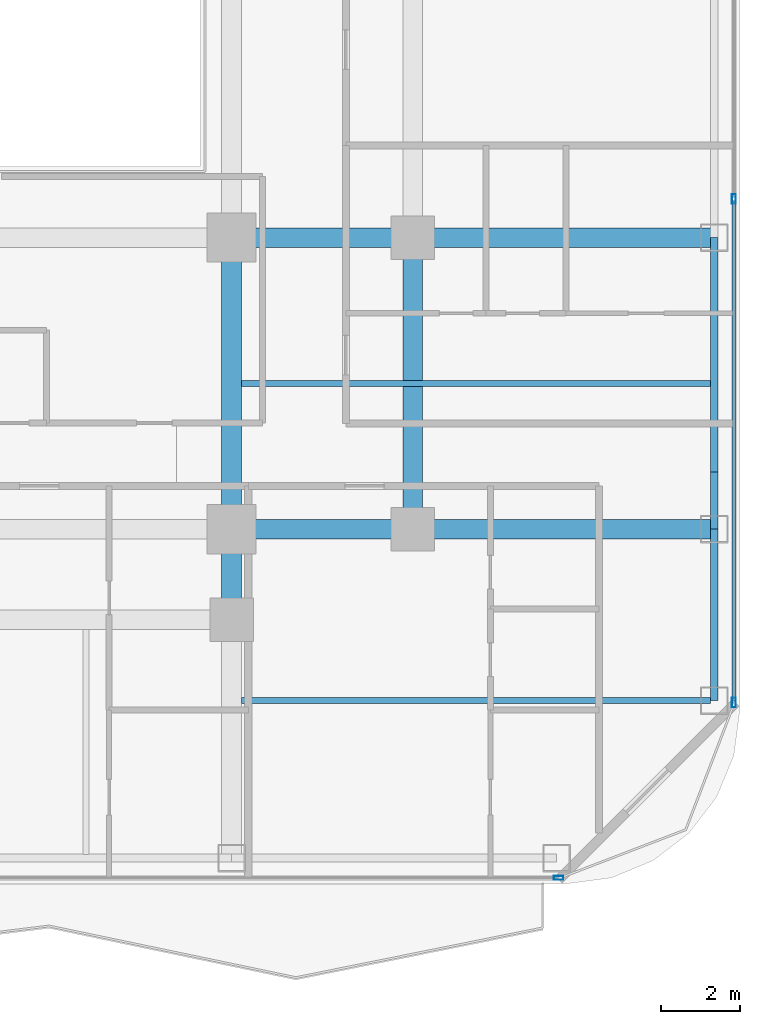
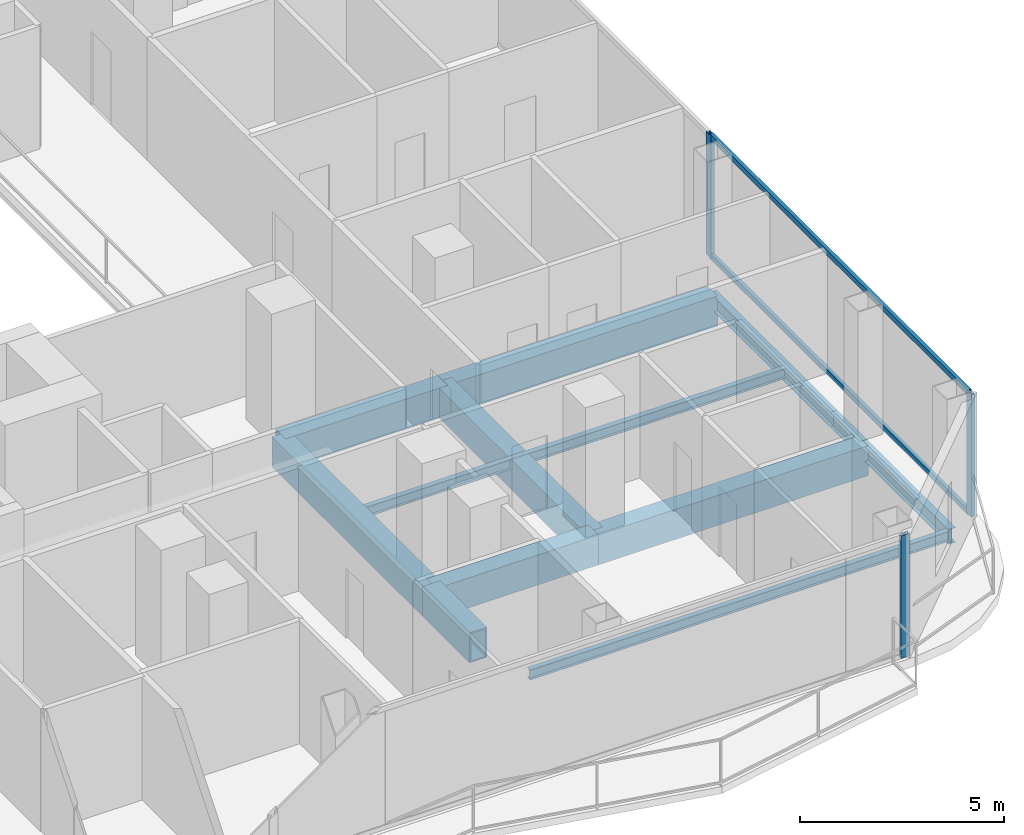
# One storey, part 10 of 29: 12 beams, 5 members, 2 elements without a shape of their own.
"""IFC4 building model written with IfcOpenShell, lengths in metres."""

import ifcopenshell
import ifcopenshell.guid

model = None  # the IFC model being written
_history = None  # IfcOwnerHistory: only IFC2X3 demands one
_inside = {}  # id of a spatial element -> (the spatial element, [elements in it])
_under = {}  # id of a project, library or spatial element -> (it, [spatial elements below it])
_declared = {}  # id of a project -> (the project, [libraries it declares])
_typed = {}  # id of a type object -> (the type object, [elements of that type])
_made_of = {}  # id of a material, layer set ... -> (it, [elements and type objects made of it])


def new_model(schema):
    """Start an empty IFC model of exactly this schema.

    Asked for "IFC4X3", IfcOpenShell would pick the latest addendum, in which some entities
    have other attributes; the version numbers below select the first issue.
    IFC2X3 requires an IfcOwnerHistory on every rooted entity: one is made here for all.
    """
    global model, _history
    if schema == "IFC4X3":
        model = ifcopenshell.file(schema_version=(4, 3, 0, 0))
    else:
        model = ifcopenshell.file(schema=schema)
    _inside.clear()
    _under.clear()
    _declared.clear()
    _typed.clear()
    _made_of.clear()
    _history = None
    if model.schema == "IFC2X3":
        org = make("IfcOrganization", Name="unknown")
        user = make(
            "IfcPersonAndOrganization",
            ThePerson=make("IfcPerson", FamilyName="unknown"),
            TheOrganization=org,
        )
        app = make(
            "IfcApplication",
            ApplicationDeveloper=org,
            Version="unknown",
            ApplicationFullName="unknown",
            ApplicationIdentifier="unknown",
        )
        _history = make(
            "IfcOwnerHistory",
            OwningUser=user,
            OwningApplication=app,
            ChangeAction="ADDED",
            CreationDate=0,
        )
    return model


def make(cls, **values):
    """One entity of the class cls with the attributes given. An attribute that is None is left unset."""
    return model.create_entity(
        cls, **{name: value for name, value in values.items() if value is not None}
    )


def rooted(cls, **values):
    """An entity with a GlobalId (a new one), such as an element, a storey or a relation."""
    return make(cls, GlobalId=ifcopenshell.guid.new(), OwnerHistory=_history, **values)


def si_unit(unit_type, name, prefix=None):
    """IfcSIUnit, for example si_unit("LENGTHUNIT", "METRE", prefix="MILLI")."""
    return make("IfcSIUnit", UnitType=unit_type, Prefix=prefix, Name=name)


def assignment(units):
    """IfcUnitAssignment: the units of a project."""
    return None if units is None else make("IfcUnitAssignment", Units=units)


def point(xyz):
    """IfcCartesianPoint."""
    return None if xyz is None else make("IfcCartesianPoint", Coordinates=xyz)


def direction(xyz):
    """IfcDirection."""
    return None if xyz is None else make("IfcDirection", DirectionRatios=xyz)


def frame(location, z_axis=None, x_axis=None):
    """IfcAxis2Placement3D, a coordinate frame: its origin and axes. An axis left out is left unset."""
    return make(
        "IfcAxis2Placement3D",
        Location=point(location),
        Axis=direction(z_axis),
        RefDirection=direction(x_axis),
    )


def frame_2d(location, x_axis=None):
    """IfcAxis2Placement2D, a coordinate frame in the plane: its origin and x axis."""
    return make(
        "IfcAxis2Placement2D", Location=point(location), RefDirection=direction(x_axis)
    )


def origin():
    """The frame at (0, 0, 0) with its axes left unset."""
    return frame((0.0, 0.0, 0.0))


def origin_2d():
    """The frame at (0, 0) in the plane with its x axis left unset."""
    return frame_2d((0.0, 0.0))


def place(relative_to, where):
    """IfcLocalPlacement: puts the frame where relative to a parent placement (None: the world)."""
    return make(
        "IfcLocalPlacement", PlacementRelTo=relative_to, RelativePlacement=where
    )


def context(
    kind, dimensions, precision=None, world=None, true_north=None, identifier=None
):
    """IfcGeometricRepresentationContext, for example the 3D "Model" context."""
    return make(
        "IfcGeometricRepresentationContext",
        ContextIdentifier=identifier,
        ContextType=kind,
        CoordinateSpaceDimension=dimensions,
        Precision=precision,
        WorldCoordinateSystem=world,
        TrueNorth=true_north,
    )


def subcontext(parent, identifier, kind, view, scale=None):
    """IfcGeometricRepresentationSubContext, for example "Body" below "Model"."""
    return make(
        "IfcGeometricRepresentationSubContext",
        ContextIdentifier=identifier,
        ContextType=kind,
        ParentContext=parent,
        TargetScale=scale,
        TargetView=view,
    )


def project(units=None, contexts=None):
    """IfcProject with its units and contexts."""
    return rooted(
        "IfcProject",
        Name="project",
        RepresentationContexts=contexts,
        UnitsInContext=assignment(units),
    )


def spatial(cls, under=None, at=None, **own):
    """A site, building, storey or space (cls), placed at a placement, below another one or the project."""
    s = rooted(cls, ObjectPlacement=at, **own)
    if under is not None:
        _under.setdefault(under.id(), (under, []))[1].append(s)
    return s


def profile(cls, at=None, kind="AREA", **sizes):
    """A parametric profile (cls). Its sizes go by their IFC names, for example OverallWidth=200.0."""
    return make(cls, ProfileType=kind, Position=at, **sizes)


def hollow_rectangle(**sizes):
    """IfcRectangleHollowProfileDef."""
    return profile("IfcRectangleHollowProfileDef", **sizes)


def i_section(**sizes):
    """IfcIShapeProfileDef."""
    return profile("IfcIShapeProfileDef", **sizes)


def extrude(swept, where, along, depth):
    """IfcExtrudedAreaSolid: the profile swept, set in the frame where, extruded along a direction by depth."""
    return make(
        "IfcExtrudedAreaSolid",
        SweptArea=swept,
        Position=where,
        ExtrudedDirection=direction(along),
        Depth=depth,
    )


def shape(context_of_items, identifier, shape_type, items):
    """IfcShapeRepresentation: the items that make up one representation, for example the "Body"."""
    return make(
        "IfcShapeRepresentation",
        ContextOfItems=context_of_items,
        RepresentationIdentifier=identifier,
        RepresentationType=shape_type,
        Items=items,
    )


def material(Name=None, Category=None):
    """IfcMaterial."""
    return make("IfcMaterial", Name=Name, Category=Category)


def layer(
    of_material, thickness, ventilated=None, Name=None, Category=None, Priority=None
):
    """IfcMaterialLayer: one layer of a wall or slab, of a material (None: an air gap)."""
    return make(
        "IfcMaterialLayer",
        Material=of_material,
        LayerThickness=thickness,
        IsVentilated=ventilated,
        Name=Name,
        Category=Category,
        Priority=Priority,
    )


def layer_set(layers, Name=None):
    """IfcMaterialLayerSet."""
    return make("IfcMaterialLayerSet", MaterialLayers=layers, LayerSetName=Name)


def material_profile(
    of_material, cross_section, Name=None, Category=None, Priority=None
):
    """IfcMaterialProfile: a cross section and its material."""
    return make(
        "IfcMaterialProfile",
        Name=Name,
        Material=of_material,
        Profile=cross_section,
        Priority=Priority,
        Category=Category,
    )


def profile_set(profiles, Name=None, composite=None):
    """IfcMaterialProfileSet."""
    return make(
        "IfcMaterialProfileSet",
        Name=Name,
        MaterialProfiles=profiles,
        CompositeProfile=composite,
    )


def made_of(thing, what):
    """Note that an element or type object is made of a material, layer set ...; save() writes the relation."""
    if what is not None:
        _made_of.setdefault(what.id(), (what, []))[1].append(thing)
    return thing


def type_object(cls, material=None, **own):
    """A type object (cls), such as IfcWallType, which elements share."""
    return made_of(rooted(cls, **own), material)


def element(
    cls,
    number,
    at=None,
    inside=None,
    cuts=None,
    type_object=None,
    material=None,
    context=None,
    identifier="Body",
    shape_type=None,
    held_by="IfcProductDefinitionShape",
    body=None,
    shapes=None,
    **own,
):
    """One element of the class cls, such as IfcWall. Its Tag is "e" and its number.

    at: its placement. inside: the storey or other place that contains it. cuts: it is an
    opening in that element (IfcRelVoidsElement). A single representation is given by context,
    identifier, shape_type and body (its items); several are given by shapes. held_by: the class
    of the entity that holds the representations. save() writes the other relations.
    """
    e = rooted(cls, Tag="e%d" % number, ObjectPlacement=at, **own)
    if body is not None:
        shapes = [shape(context, identifier, shape_type, body)]
    if shapes is not None:
        e.Representation = make(held_by, Representations=shapes)
    if inside is not None:
        _inside.setdefault(inside.id(), (inside, []))[1].append(e)
    if cuts is not None:
        rooted(
            "IfcRelVoidsElement", RelatingBuildingElement=cuts, RelatedOpeningElement=e
        )
    if type_object is not None:
        _typed.setdefault(type_object.id(), (type_object, []))[1].append(e)
    return made_of(e, material)


def aggregate(whole, parts):
    """IfcRelAggregates: a whole, such as a stair, and the parts it consists of."""
    return rooted("IfcRelAggregates", RelatingObject=whole, RelatedObjects=parts)


def save(model, path):
    """Write the relations noted so far, then the file.

    IfcRelAggregates (storeys below a building ...), IfcRelContainedInSpatialStructure (elements
    in a storey), IfcRelDefinesByType, IfcRelAssociatesMaterial and IfcRelDeclares: one each for
    every whole, place, type object, material and project.
    """
    for whole, parts in _under.values():
        aggregate(whole, parts)
    for where, things in _inside.values():
        rooted(
            "IfcRelContainedInSpatialStructure",
            RelatedElements=things,
            RelatingStructure=where,
        )
    for kind, things in _typed.values():
        rooted("IfcRelDefinesByType", RelatedObjects=things, RelatingType=kind)
    for what, things in _made_of.values():
        rooted("IfcRelAssociatesMaterial", RelatedObjects=things, RelatingMaterial=what)
    for by, libraries in _declared.values():
        rooted("IfcRelDeclares", RelatingContext=by, RelatedDefinitions=libraries)
    model.write(path)


model = new_model("IFC4")

# Units and contexts
model_context = context("Model", 3, precision=1e-05, world=origin(), true_north=direction((0.0, 1.0)))
body_context = subcontext(model_context, "Body", "Model", "MODEL_VIEW")
ifc_project = project(units=[si_unit("LENGTHUNIT", "METRE"), si_unit("AREAUNIT", "SQUARE_METRE"), si_unit("VOLUMEUNIT", "CUBIC_METRE"), si_unit("PLANEANGLEUNIT", "RADIAN"), si_unit("MASSUNIT", "GRAM", prefix="KILO")], contexts=[model_context])

# Site, building, storey
site_placement = place(None, origin())
site = spatial("IfcSite", under=ifc_project, at=site_placement, CompositionType="ELEMENT")
building_placement = place(site_placement, origin())
building = spatial("IfcBuilding", under=site, at=building_placement, Name="Khorvyn Point Tower", CompositionType="ELEMENT")
storey_placement = place(building_placement, frame((0.0, 0.0, 136.800048828125)))
storey = spatial("IfcBuildingStorey", under=building, at=storey_placement, Name="L34", CompositionType="ELEMENT", Elevation=136.800048828125)

# Curtain wall, member
ifc_material_1 = material(Name="Anodised aluminium 6063-T6 and laminated Low-E glass", Category="aluminium")
ifc_layer = layer(ifc_material_1, 0.18994140625)
ifc_layer_set = layer_set([ifc_layer], Name="Stick-Built Acoustic Curtain Wall CW-SYS-03")
curtain_wall_type = type_object("IfcCurtainWallType", Name="Stick-Built Acoustic Curtain Wall CW-SYS-03", PredefinedType="NOTDEFINED", material=ifc_layer_set)
curtain_wall_1_placement = place(storey_placement, origin())
curtain_wall_1 = element("IfcCurtainWall", 1, at=curtain_wall_1_placement, inside=storey, type_object=curtain_wall_type, Name="Curtain Wall", PredefinedType="NOTDEFINED")
ifc_material_2 = material(Name="Anodised aluminium 6063-T6", Category="aluminium")
ifc_material_profile_1 = material_profile(ifc_material_2, hollow_rectangle(XDim=0.10009765625, YDim=0.239990234375, WallThickness=0.0048828125, at=origin_2d()))
ifc_profile_set_1 = profile_set([ifc_material_profile_1], Name="Anodised aluminium 6063-T6 ALU-MUL-100x240")
member_type_1 = type_object("IfcMemberType", Name="Anodised Aluminium 6063-T6 Mullion ALU-MUL-100x240", PredefinedType="MULLION", material=ifc_profile_set_1)
member_1_placement = place(storey_placement, frame((23.10009765625, -23.64990234375, 0.0), z_axis=(0.0, 0.0, 1.0), x_axis=(0.0, -1.0, 0.0)))
member_1 = element("IfcMember", 2, at=member_1_placement, type_object=member_type_1, Name="Transom", PredefinedType="MULLION", context=body_context, shape_type="SweptSolid", body=[
    extrude(hollow_rectangle(XDim=0.10009765625, YDim=0.239990234375, WallThickness=0.0048828125, at=origin_2d()), origin(), (0.0, 0.0, 1.0), 3.679931640625),
])
aggregate(curtain_wall_1, [member_1])

# Curtain wall, members
curtain_wall_2_placement = place(storey_placement, origin())
curtain_wall_2 = element("IfcCurtainWall", 3, at=curtain_wall_2_placement, inside=storey, type_object=curtain_wall_type, Name="Curtain Wall", PredefinedType="NOTDEFINED")
member_2_placement = place(storey_placement, frame((27.550048828125, -6.416748046875, 0.0), z_axis=(0.0, 0.0, 1.0), x_axis=(1.0, 0.0, 0.0)))
member_2 = element("IfcMember", 4, at=member_2_placement, type_object=member_type_1, Name="Transom", PredefinedType="MULLION", context=body_context, shape_type="SweptSolid", body=[
    extrude(hollow_rectangle(XDim=0.10009765625, YDim=0.239990234375, WallThickness=0.0048828125, at=origin_2d()), origin(), (0.0, 0.0, 1.0), 3.679931640625),
])
member_3_placement = place(storey_placement, frame((27.550048828125, -19.199951171875, 0.0), z_axis=(0.0, 0.0, 1.0), x_axis=(1.0, 0.0, 0.0)))
member_3 = element("IfcMember", 5, at=member_3_placement, type_object=member_type_1, Name="Transom", PredefinedType="MULLION", context=body_context, shape_type="SweptSolid", body=[
    extrude(hollow_rectangle(XDim=0.10009765625, YDim=0.239990234375, WallThickness=0.0048828125, at=origin_2d()), origin(), (0.0, 0.0, 1.0), 3.679931640625),
])
ifc_material_profile_2 = material_profile(ifc_material_2, hollow_rectangle(XDim=0.10009765625, YDim=0.159912109375, WallThickness=0.00439453125, at=origin_2d()))
ifc_profile_set_2 = profile_set([ifc_material_profile_2], Name="Anodised aluminium 6063-T6 ALU-TRN-100x160")
member_type_2 = type_object("IfcMemberType", Name="Anodised Aluminium 6063-T6 Transom ALU-TRN-100x160", PredefinedType="USERDEFINED", material=ifc_profile_set_2)
member_4_placement = place(storey_placement, frame((27.550048828125, -6.466552734375, 0.050048828125), z_axis=(0.0, -1.0, 0.0), x_axis=(1.0, 0.0, 0.0)))
member_4 = element("IfcMember", 6, at=member_4_placement, type_object=member_type_2, Name="Transom", ObjectType="TRANSOM", PredefinedType="USERDEFINED", context=body_context, shape_type="SweptSolid", body=[
    extrude(hollow_rectangle(XDim=0.10009765625, YDim=0.159912109375, WallThickness=0.00439453125, at=origin_2d()), origin(), (0.0, 0.0, 1.0), 12.683349609375),
])
member_5_placement = place(storey_placement, frame((27.550048828125, -6.466552734375, 3.6298828125), z_axis=(0.0, -1.0, 0.0), x_axis=(1.0, 0.0, 0.0)))
member_5 = element("IfcMember", 7, at=member_5_placement, type_object=member_type_2, Name="Transom", ObjectType="TRANSOM", PredefinedType="USERDEFINED", context=body_context, shape_type="SweptSolid", body=[
    extrude(hollow_rectangle(XDim=0.10009765625, YDim=0.159912109375, WallThickness=0.00439453125, at=origin_2d()), origin(), (0.0, 0.0, 1.0), 12.683349609375),
])
aggregate(curtain_wall_2, [member_2, member_3, member_4, member_5])

# Beams
ifc_material_3 = material(Name="Steel S355", Category="steel")
ifc_material_profile_3 = material_profile(ifc_material_3, i_section(OverallWidth=0.14990234375, OverallDepth=0.300048828125, WebThickness=0.006591796875, FlangeThickness=0.009033203125, at=origin_2d()))
ifc_profile_set_3 = profile_set([ifc_material_profile_3], Name="Steel S355 H300x150x6.5x9")
beam_type_1 = type_object("IfcBeamType", Name="Steel S355 Joist H300x150x6.5x9", PredefinedType="JOIST", material=ifc_profile_set_3)
for number, where, z_axis, x_axis, name in (
    (8, (15.050048828125, -11.10009765625, -0.429931640625), (1.0, 0.0, 0.0), (0.0, 1.0, 0.0), "Beam"),
    (9, (15.050048828125, -19.14990234375, -0.429931640625), (1.0, 0.0, 0.0), (0.0, 1.0, 0.0), "Beam"),
):
    element("IfcBeam", number, at=place(storey_placement, frame(where, z_axis=z_axis, x_axis=x_axis)), inside=storey, type_object=beam_type_1, Name=name, PredefinedType="JOIST", context=body_context, shape_type="SweptSolid", body=[
        extrude(i_section(OverallWidth=0.14990234375, OverallDepth=0.300048828125, WebThickness=0.006591796875, FlangeThickness=0.009033203125, at=origin_2d()), origin(), (0.0, 0.0, 1.0), 11.89990234375),
    ])
ifc_material_profile_4 = material_profile(ifc_material_3, i_section(OverallWidth=0.199951171875, OverallDepth=0.449951171875, WebThickness=0.009033203125, FlangeThickness=0.013916015625, at=origin_2d()))
ifc_profile_set_4 = profile_set([ifc_material_profile_4], Name="Steel S355 H450x200x9x14")
beam_type_2 = type_object("IfcBeamType", Name="Steel S355 Spandrel H450x200x9x14", PredefinedType="SPANDREL", material=ifc_profile_set_4)
beam_1_placement = place(storey_placement, frame((27.050048828125, -19.14990234375, -0.505126953125), z_axis=(0.0, 1.0, 0.0), x_axis=(-1.0, 0.0, 0.0)))
element("IfcBeam", 10, at=beam_1_placement, inside=storey, type_object=beam_type_2, Name="Beam", PredefinedType="SPANDREL", context=body_context, shape_type="SweptSolid", body=[
    extrude(i_section(OverallWidth=0.199951171875, OverallDepth=0.449951171875, WebThickness=0.009033203125, FlangeThickness=0.013916015625, at=origin_2d()), origin(), (0.0, 0.0, 1.0), 4.349853515625),
])
beam_2_placement = place(storey_placement, frame((27.050048828125, -14.800048828125, -0.505126953125), z_axis=(0.0, 1.0, 0.0), x_axis=(-1.0, 0.0, 0.0)))
element("IfcBeam", 11, at=beam_2_placement, inside=storey, type_object=beam_type_2, Name="Beam", PredefinedType="SPANDREL", context=body_context, shape_type="SweptSolid", body=[
    extrude(i_section(OverallWidth=0.199951171875, OverallDepth=0.449951171875, WebThickness=0.009033203125, FlangeThickness=0.013916015625, at=origin_2d()), origin(), (0.0, 0.0, 1.0), 1.449951171875),
])
beam_3_placement = place(storey_placement, frame((27.050048828125, -13.35009765625, -0.505126953125), z_axis=(0.0, 1.0, 0.0), x_axis=(-1.0, 0.0, 0.0)))
element("IfcBeam", 12, at=beam_3_placement, inside=storey, type_object=beam_type_2, Name="Beam", PredefinedType="SPANDREL", context=body_context, shape_type="SweptSolid", body=[
    extrude(i_section(OverallWidth=0.199951171875, OverallDepth=0.449951171875, WebThickness=0.009033203125, FlangeThickness=0.013916015625, at=origin_2d()), origin(), (0.0, 0.0, 1.0), 5.9501953125),
])
ifc_material_4 = material(Name="Steel S450", Category="steel")
ifc_material_profile_5 = material_profile(ifc_material_4, hollow_rectangle(XDim=0.5, YDim=0.89990234375, WallThickness=0.0400390625, at=origin_2d()))
ifc_profile_set_5 = profile_set([ifc_material_profile_5], Name="Steel S450 BOX900x500x40")
beam_type_3 = type_object("IfcBeamType", Name="Steel S450 Beam BOX900x500x40", PredefinedType="BEAM", material=ifc_profile_set_5)
beam_4_placement = place(storey_placement, frame((14.800048828125, -14.800048828125, -0.72998046875), z_axis=(1.0, 0.0, 0.0), x_axis=(0.0, 1.0, 0.0)))
element("IfcBeam", 13, at=beam_4_placement, inside=storey, type_object=beam_type_3, Name="L34 Radial Transfer Girder", PredefinedType="BEAM", context=body_context, shape_type="SweptSolid", body=[
    extrude(hollow_rectangle(XDim=0.5, YDim=0.89990234375, WallThickness=0.0400390625, at=origin_2d()), origin(), (0.0, 0.0, 1.0), 4.599853515625),
])
beam_5_placement = place(storey_placement, frame((19.39990234375, -14.800048828125, -0.72998046875), z_axis=(1.0, 0.0, 0.0), x_axis=(0.0, 1.0, 0.0)))
element("IfcBeam", 14, at=beam_5_placement, inside=storey, type_object=beam_type_3, Name="L34 Radial Transfer Girder", PredefinedType="BEAM", context=body_context, shape_type="SweptSolid", body=[
    extrude(hollow_rectangle(XDim=0.5, YDim=0.89990234375, WallThickness=0.0400390625, at=origin_2d()), origin(), (0.0, 0.0, 1.0), 7.650146484375),
])
beam_6_placement = place(storey_placement, frame((14.800048828125, -7.39990234375, -0.72998046875), z_axis=(1.0, 0.0, 0.0), x_axis=(0.0, 1.0, 0.0)))
element("IfcBeam", 15, at=beam_6_placement, inside=storey, type_object=beam_type_3, Name="Beam", PredefinedType="BEAM", context=body_context, shape_type="SweptSolid", body=[
    extrude(hollow_rectangle(XDim=0.5, YDim=0.89990234375, WallThickness=0.0400390625, at=origin_2d()), origin(), (0.0, 0.0, 1.0), 4.599853515625),
])
beam_7_placement = place(storey_placement, frame((19.39990234375, -7.39990234375, -0.72998046875), z_axis=(1.0, 0.0, 0.0), x_axis=(0.0, 1.0, 0.0)))
element("IfcBeam", 16, at=beam_7_placement, inside=storey, type_object=beam_type_3, Name="Beam", PredefinedType="BEAM", context=body_context, shape_type="SweptSolid", body=[
    extrude(hollow_rectangle(XDim=0.5, YDim=0.89990234375, WallThickness=0.0400390625, at=origin_2d()), origin(), (0.0, 0.0, 1.0), 7.650146484375),
])
beam_8_placement = place(storey_placement, frame((14.800048828125, -17.10009765625, -0.72998046875), z_axis=(0.0, 1.0, 0.0), x_axis=(-1.0, 0.0, 0.0)))
element("IfcBeam", 17, at=beam_8_placement, inside=storey, type_object=beam_type_3, Name="L34 Radial Transfer Girder", PredefinedType="BEAM", context=body_context, shape_type="SweptSolid", body=[
    extrude(hollow_rectangle(XDim=0.5, YDim=0.89990234375, WallThickness=0.0400390625, at=origin_2d()), origin(), (0.0, 0.0, 1.0), 2.300048828125),
])
for number, where, z_axis, x_axis, name in (
    (18, (14.800048828125, -14.800048828125, -0.72998046875), (0.0, 1.0, 0.0), (-1.0, 0.0, 0.0), "L34 Radial Transfer Girder"),
    (19, (19.39990234375, -14.800048828125, -0.72998046875), (0.0, 1.0, 0.0), (-1.0, 0.0, 0.0), "Beam"),
):
    element("IfcBeam", number, at=place(storey_placement, frame(where, z_axis=z_axis, x_axis=x_axis)), inside=storey, type_object=beam_type_3, Name=name, PredefinedType="BEAM", context=body_context, shape_type="SweptSolid", body=[
        extrude(hollow_rectangle(XDim=0.5, YDim=0.89990234375, WallThickness=0.0400390625, at=origin_2d()), origin(), (0.0, 0.0, 1.0), 7.400146484375),
    ])

save(model, "model.ifc")
